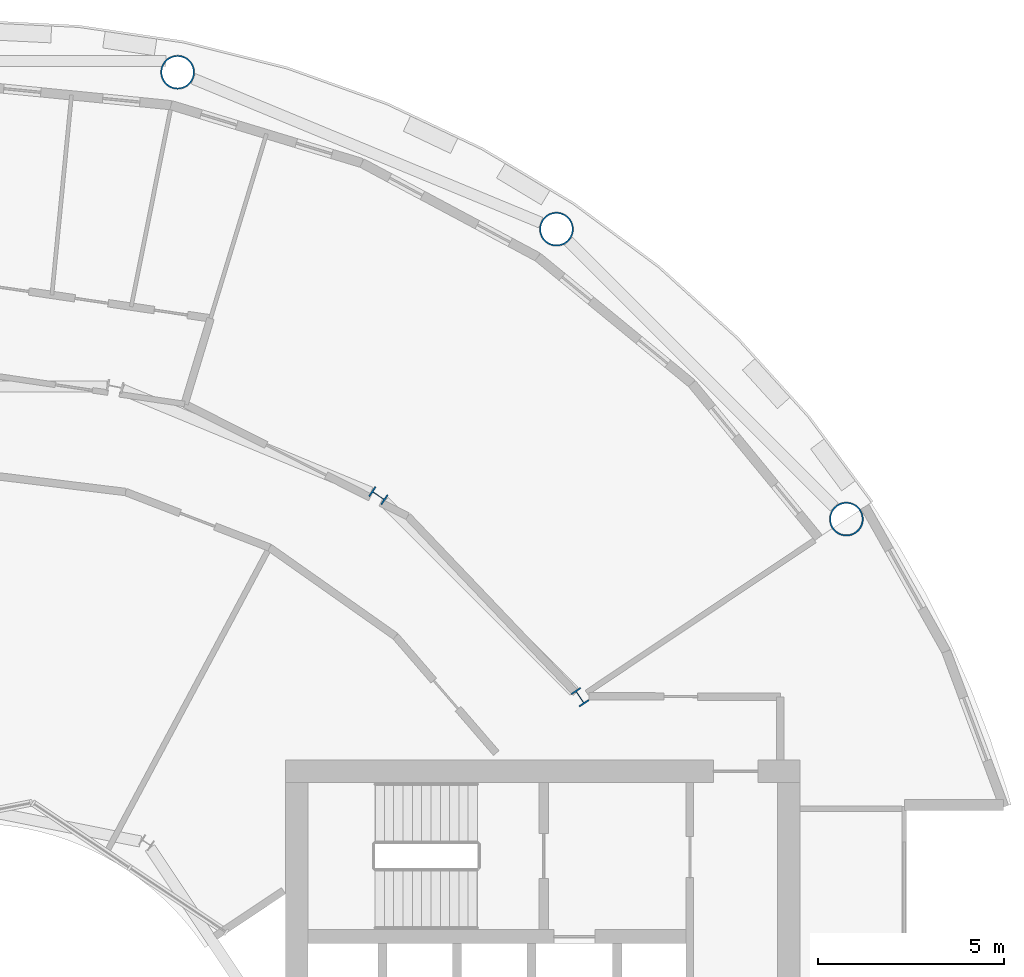
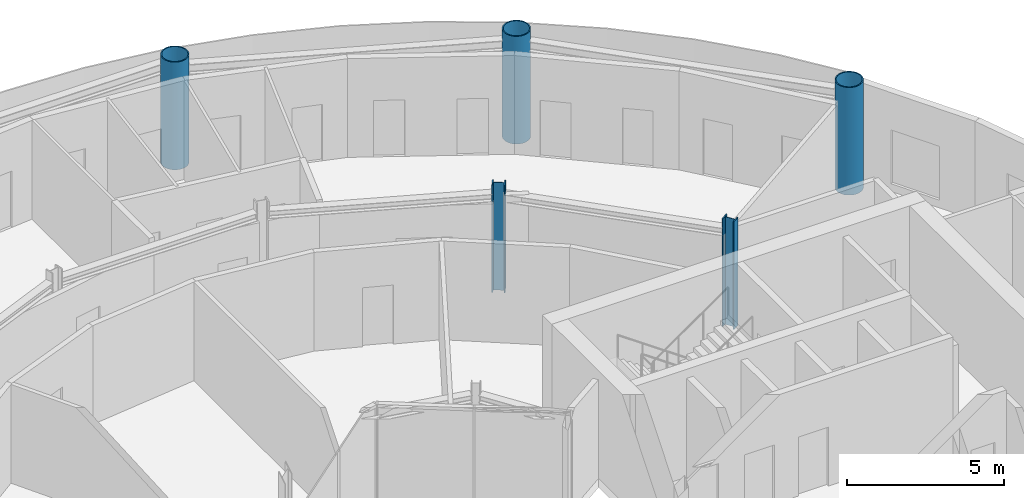
# One storey, part 4 of 21: 5 columns.
"""IFC4 building model written with IfcOpenShell, lengths in metres."""

import ifcopenshell
import ifcopenshell.guid

model = None  # the IFC model being written
_history = None  # IfcOwnerHistory: only IFC2X3 demands one
_inside = {}  # id of a spatial element -> (the spatial element, [elements in it])
_under = {}  # id of a project, library or spatial element -> (it, [spatial elements below it])
_declared = {}  # id of a project -> (the project, [libraries it declares])
_typed = {}  # id of a type object -> (the type object, [elements of that type])
_made_of = {}  # id of a material, layer set ... -> (it, [elements and type objects made of it])


def new_model(schema):
    """Start an empty IFC model of exactly this schema.

    Asked for "IFC4X3", IfcOpenShell would pick the latest addendum, in which some entities
    have other attributes; the version numbers below select the first issue.
    IFC2X3 requires an IfcOwnerHistory on every rooted entity: one is made here for all.
    """
    global model, _history
    if schema == "IFC4X3":
        model = ifcopenshell.file(schema_version=(4, 3, 0, 0))
    else:
        model = ifcopenshell.file(schema=schema)
    _inside.clear()
    _under.clear()
    _declared.clear()
    _typed.clear()
    _made_of.clear()
    _history = None
    if model.schema == "IFC2X3":
        org = make("IfcOrganization", Name="unknown")
        user = make(
            "IfcPersonAndOrganization",
            ThePerson=make("IfcPerson", FamilyName="unknown"),
            TheOrganization=org,
        )
        app = make(
            "IfcApplication",
            ApplicationDeveloper=org,
            Version="unknown",
            ApplicationFullName="unknown",
            ApplicationIdentifier="unknown",
        )
        _history = make(
            "IfcOwnerHistory",
            OwningUser=user,
            OwningApplication=app,
            ChangeAction="ADDED",
            CreationDate=0,
        )
    return model


def make(cls, **values):
    """One entity of the class cls with the attributes given. An attribute that is None is left unset."""
    return model.create_entity(
        cls, **{name: value for name, value in values.items() if value is not None}
    )


def rooted(cls, **values):
    """An entity with a GlobalId (a new one), such as an element, a storey or a relation."""
    return make(cls, GlobalId=ifcopenshell.guid.new(), OwnerHistory=_history, **values)


def si_unit(unit_type, name, prefix=None):
    """IfcSIUnit, for example si_unit("LENGTHUNIT", "METRE", prefix="MILLI")."""
    return make("IfcSIUnit", UnitType=unit_type, Prefix=prefix, Name=name)


def assignment(units):
    """IfcUnitAssignment: the units of a project."""
    return None if units is None else make("IfcUnitAssignment", Units=units)


def point(xyz):
    """IfcCartesianPoint."""
    return None if xyz is None else make("IfcCartesianPoint", Coordinates=xyz)


def direction(xyz):
    """IfcDirection."""
    return None if xyz is None else make("IfcDirection", DirectionRatios=xyz)


def frame(location, z_axis=None, x_axis=None):
    """IfcAxis2Placement3D, a coordinate frame: its origin and axes. An axis left out is left unset."""
    return make(
        "IfcAxis2Placement3D",
        Location=point(location),
        Axis=direction(z_axis),
        RefDirection=direction(x_axis),
    )


def frame_2d(location, x_axis=None):
    """IfcAxis2Placement2D, a coordinate frame in the plane: its origin and x axis."""
    return make(
        "IfcAxis2Placement2D", Location=point(location), RefDirection=direction(x_axis)
    )


def origin():
    """The frame at (0, 0, 0) with its axes left unset."""
    return frame((0.0, 0.0, 0.0))


def origin_2d():
    """The frame at (0, 0) in the plane with its x axis left unset."""
    return frame_2d((0.0, 0.0))


def place(relative_to, where):
    """IfcLocalPlacement: puts the frame where relative to a parent placement (None: the world)."""
    return make(
        "IfcLocalPlacement", PlacementRelTo=relative_to, RelativePlacement=where
    )


def context(
    kind, dimensions, precision=None, world=None, true_north=None, identifier=None
):
    """IfcGeometricRepresentationContext, for example the 3D "Model" context."""
    return make(
        "IfcGeometricRepresentationContext",
        ContextIdentifier=identifier,
        ContextType=kind,
        CoordinateSpaceDimension=dimensions,
        Precision=precision,
        WorldCoordinateSystem=world,
        TrueNorth=true_north,
    )


def subcontext(parent, identifier, kind, view, scale=None):
    """IfcGeometricRepresentationSubContext, for example "Body" below "Model"."""
    return make(
        "IfcGeometricRepresentationSubContext",
        ContextIdentifier=identifier,
        ContextType=kind,
        ParentContext=parent,
        TargetScale=scale,
        TargetView=view,
    )


def project(units=None, contexts=None):
    """IfcProject with its units and contexts."""
    return rooted(
        "IfcProject",
        Name="project",
        RepresentationContexts=contexts,
        UnitsInContext=assignment(units),
    )


def spatial(cls, under=None, at=None, **own):
    """A site, building, storey or space (cls), placed at a placement, below another one or the project."""
    s = rooted(cls, ObjectPlacement=at, **own)
    if under is not None:
        _under.setdefault(under.id(), (under, []))[1].append(s)
    return s


def profile(cls, at=None, kind="AREA", **sizes):
    """A parametric profile (cls). Its sizes go by their IFC names, for example OverallWidth=200.0."""
    return make(cls, ProfileType=kind, Position=at, **sizes)


def hollow_circle(**sizes):
    """IfcCircleHollowProfileDef."""
    return profile("IfcCircleHollowProfileDef", **sizes)


def i_section(**sizes):
    """IfcIShapeProfileDef."""
    return profile("IfcIShapeProfileDef", **sizes)


def extrude(swept, where, along, depth):
    """IfcExtrudedAreaSolid: the profile swept, set in the frame where, extruded along a direction by depth."""
    return make(
        "IfcExtrudedAreaSolid",
        SweptArea=swept,
        Position=where,
        ExtrudedDirection=direction(along),
        Depth=depth,
    )


def shape(context_of_items, identifier, shape_type, items):
    """IfcShapeRepresentation: the items that make up one representation, for example the "Body"."""
    return make(
        "IfcShapeRepresentation",
        ContextOfItems=context_of_items,
        RepresentationIdentifier=identifier,
        RepresentationType=shape_type,
        Items=items,
    )


def material(Name=None, Category=None):
    """IfcMaterial."""
    return make("IfcMaterial", Name=Name, Category=Category)


def material_profile(
    of_material, cross_section, Name=None, Category=None, Priority=None
):
    """IfcMaterialProfile: a cross section and its material."""
    return make(
        "IfcMaterialProfile",
        Name=Name,
        Material=of_material,
        Profile=cross_section,
        Priority=Priority,
        Category=Category,
    )


def profile_set(profiles, Name=None, composite=None):
    """IfcMaterialProfileSet."""
    return make(
        "IfcMaterialProfileSet",
        Name=Name,
        MaterialProfiles=profiles,
        CompositeProfile=composite,
    )


def made_of(thing, what):
    """Note that an element or type object is made of a material, layer set ...; save() writes the relation."""
    if what is not None:
        _made_of.setdefault(what.id(), (what, []))[1].append(thing)
    return thing


def type_object(cls, material=None, **own):
    """A type object (cls), such as IfcWallType, which elements share."""
    return made_of(rooted(cls, **own), material)


def element(
    cls,
    number,
    at=None,
    inside=None,
    cuts=None,
    type_object=None,
    material=None,
    context=None,
    identifier="Body",
    shape_type=None,
    held_by="IfcProductDefinitionShape",
    body=None,
    shapes=None,
    **own,
):
    """One element of the class cls, such as IfcWall. Its Tag is "e" and its number.

    at: its placement. inside: the storey or other place that contains it. cuts: it is an
    opening in that element (IfcRelVoidsElement). A single representation is given by context,
    identifier, shape_type and body (its items); several are given by shapes. held_by: the class
    of the entity that holds the representations. save() writes the other relations.
    """
    e = rooted(cls, Tag="e%d" % number, ObjectPlacement=at, **own)
    if body is not None:
        shapes = [shape(context, identifier, shape_type, body)]
    if shapes is not None:
        e.Representation = make(held_by, Representations=shapes)
    if inside is not None:
        _inside.setdefault(inside.id(), (inside, []))[1].append(e)
    if cuts is not None:
        rooted(
            "IfcRelVoidsElement", RelatingBuildingElement=cuts, RelatedOpeningElement=e
        )
    if type_object is not None:
        _typed.setdefault(type_object.id(), (type_object, []))[1].append(e)
    return made_of(e, material)


def aggregate(whole, parts):
    """IfcRelAggregates: a whole, such as a stair, and the parts it consists of."""
    return rooted("IfcRelAggregates", RelatingObject=whole, RelatedObjects=parts)


def save(model, path):
    """Write the relations noted so far, then the file.

    IfcRelAggregates (storeys below a building ...), IfcRelContainedInSpatialStructure (elements
    in a storey), IfcRelDefinesByType, IfcRelAssociatesMaterial and IfcRelDeclares: one each for
    every whole, place, type object, material and project.
    """
    for whole, parts in _under.values():
        aggregate(whole, parts)
    for where, things in _inside.values():
        rooted(
            "IfcRelContainedInSpatialStructure",
            RelatedElements=things,
            RelatingStructure=where,
        )
    for kind, things in _typed.values():
        rooted("IfcRelDefinesByType", RelatedObjects=things, RelatingType=kind)
    for what, things in _made_of.values():
        rooted("IfcRelAssociatesMaterial", RelatedObjects=things, RelatingMaterial=what)
    for by, libraries in _declared.values():
        rooted("IfcRelDeclares", RelatingContext=by, RelatedDefinitions=libraries)
    model.write(path)


model = new_model("IFC4")

# Units and contexts
model_context = context("Model", 3, precision=1e-05, world=origin(), true_north=direction((0.0, 1.0)))
body_context = subcontext(model_context, "Body", "Model", "MODEL_VIEW")
ifc_project = project(units=[si_unit("LENGTHUNIT", "METRE"), si_unit("AREAUNIT", "SQUARE_METRE"), si_unit("VOLUMEUNIT", "CUBIC_METRE"), si_unit("PLANEANGLEUNIT", "RADIAN"), si_unit("MASSUNIT", "GRAM", prefix="KILO")], contexts=[model_context])

# Site, building, storey
site_placement = place(None, origin())
site = spatial("IfcSite", under=ifc_project, at=site_placement, CompositionType="ELEMENT")
building_placement = place(site_placement, origin())
building = spatial("IfcBuilding", under=site, at=building_placement, Name="Maasbend Ring Residences", CompositionType="ELEMENT")
storey_placement = place(building_placement, frame((0.0, 0.0, 107.449951171875)))
storey = spatial("IfcBuildingStorey", under=building, at=storey_placement, Name="L30", CompositionType="ELEMENT", Elevation=107.449951171875)

# Columns
ifc_material_1 = material(Name="Composite concrete-filled steel tube S460NH / C80/95", Category="concrete")
ifc_material_profile_1 = material_profile(ifc_material_1, hollow_circle(Radius=0.45703125, WallThickness=0.0400390625, at=origin_2d()), Name="Composite tube column CHS 914x40")
ifc_profile_set_1 = profile_set([ifc_material_profile_1], Name="Composite concrete-filled steel tube S460NH / C80/95")
column_type_1 = type_object("IfcColumnType", Name="Composite tube column CHS 914x40", PredefinedType="COLUMN", material=ifc_profile_set_1)
for number, where, z_axis, x_axis, name in (
    (1, (23.447509765625, 15.6669921875, 0.0), (0.0, 0.0, 1.0), (1.0, 0.0, 0.0), "Outer column R2"),
    (2, (15.6669921875, 23.447509765625, 0.0), (0.0, 0.0, 1.0), (1.0, 0.0, 0.0), "Outer column R3"),
    (3, (5.50146484375, 27.658203125, 0.0), (0.0, 0.0, 1.0), (1.0, 0.0, 0.0), "Outer column R4"),
):
    element("IfcColumn", number, at=place(storey_placement, frame(where, z_axis=z_axis, x_axis=x_axis)), inside=storey, type_object=column_type_1, Name=name, PredefinedType="COLUMN", context=body_context, shape_type="SweptSolid", body=[
        extrude(hollow_circle(Radius=0.45703125, WallThickness=0.0400390625, at=origin_2d()), origin(), (0.0, 0.0, 1.0), 4.199951171875),
    ])
ifc_material_2 = material(Name="Steel S460M", Category="steel")
ifc_material_profile_2 = material_profile(ifc_material_2, i_section(OverallWidth=0.306884765625, OverallDepth=0.431884765625, WebThickness=0.02099609375, FlangeThickness=0.0400390625, FilletRadius=0.027099609375, at=origin_2d()), Name="HEM 400")
ifc_profile_set_2 = profile_set([ifc_material_profile_2], Name="Steel S460M")
column_type_2 = type_object("IfcColumnType", Name="Steel column HEM 400", PredefinedType="COLUMN", material=ifc_profile_set_2)
for number, where, z_axis, x_axis, name in (
    (4, (16.296875, 10.88916015625, 0.0), (0.0, 0.0, 1.0), (0.831469612303, 0.55557023302, 0.0), "Corridor ring column R2"),
    (5, (10.88916015625, 16.296875, 0.0), (0.0, 0.0, 1.0), (0.55557023302, 0.831469612303, 0.0), "Corridor ring column R3"),
):
    element("IfcColumn", number, at=place(storey_placement, frame(where, z_axis=z_axis, x_axis=x_axis)), inside=storey, type_object=column_type_2, Name=name, PredefinedType="COLUMN", context=body_context, shape_type="SweptSolid", body=[
        extrude(i_section(OverallWidth=0.306884765625, OverallDepth=0.431884765625, WebThickness=0.02099609375, FlangeThickness=0.0400390625, FilletRadius=0.027099609375, at=origin_2d()), origin(), (0.0, 0.0, 1.0), 4.199951171875),
    ])

save(model, "model.ifc")
